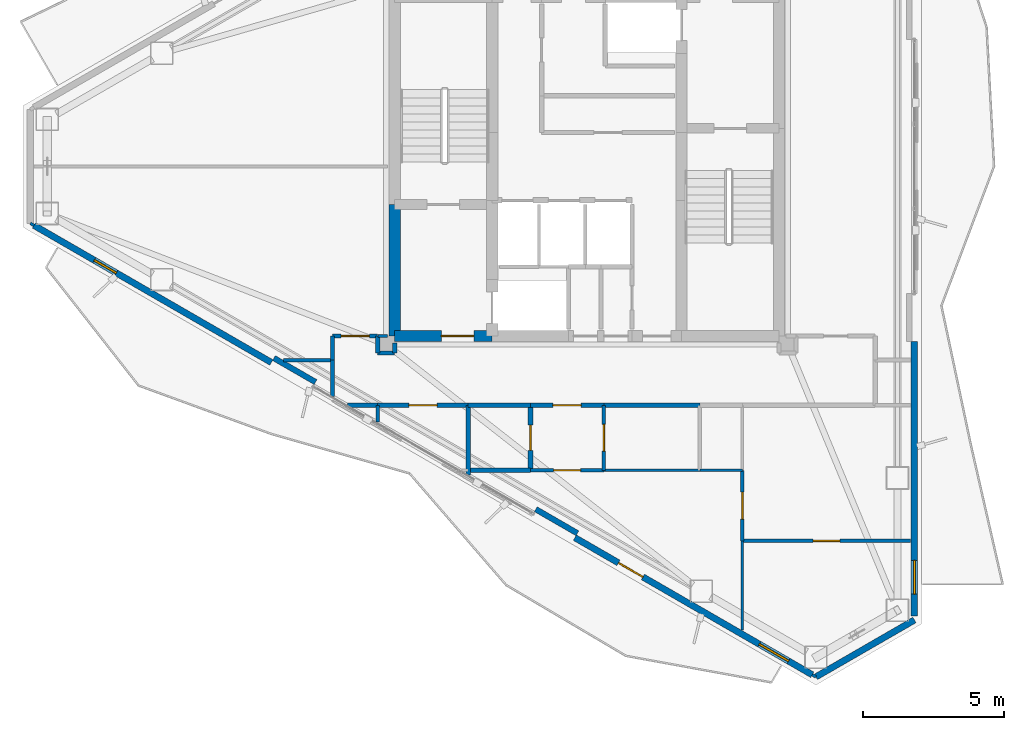
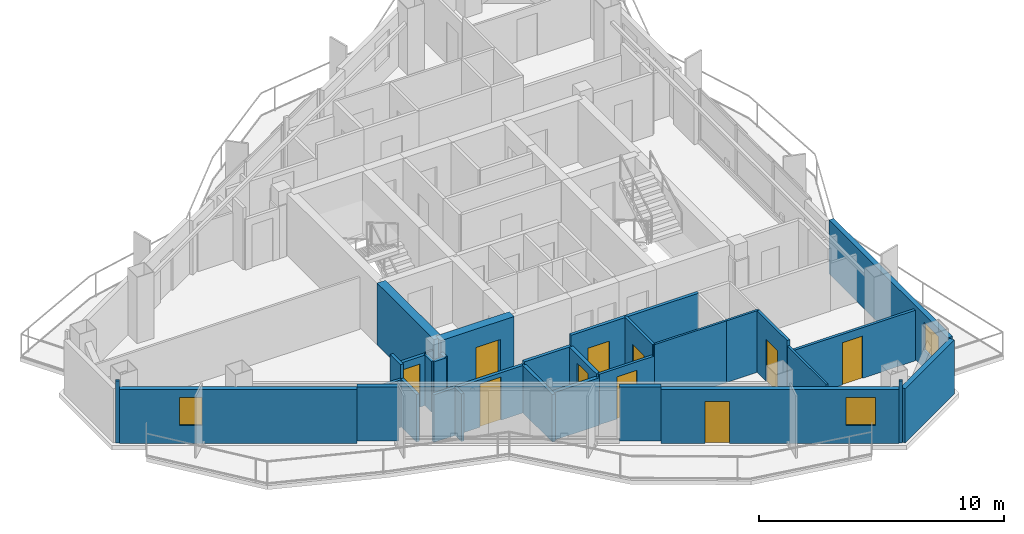
# One storey, part 16 of 22: 34 walls, 10 doors, 3 windows, 13 openings.
"""IFC4 building model written with IfcOpenShell, lengths in metres."""

from ifc_helpers import new_model, si_unit, direction, frame, frame_2d, origin, place, context, subcontext, project, spatial, rectangle, extrude, material, layer, layer_set, type_object, element, fill, save


model = new_model("IFC4")

# Units and contexts
model_context = context("Model", 3, precision=1e-05, world=origin(), true_north=direction((0.0, 1.0)))
body_context = subcontext(model_context, "Body", "Model", "MODEL_VIEW")
ifc_project = project(units=[si_unit("LENGTHUNIT", "METRE"), si_unit("AREAUNIT", "SQUARE_METRE"), si_unit("VOLUMEUNIT", "CUBIC_METRE"), si_unit("PLANEANGLEUNIT", "RADIAN"), si_unit("MASSUNIT", "GRAM", prefix="KILO")], contexts=[model_context])

# Site, building, storey
site_placement = place(None, origin())
site = spatial("IfcSite", under=ifc_project, at=site_placement, CompositionType="ELEMENT")
building_placement = place(site_placement, origin())
building = spatial("IfcBuilding", under=site, at=building_placement, Name="Mersakhor Tower and Convention Hall", CompositionType="ELEMENT")
storey_placement = place(building_placement, frame((0.0, 0.0, 205.199951171875)))
storey = spatial("IfcBuildingStorey", under=building, at=storey_placement, Name="L57", CompositionType="ELEMENT", Elevation=205.199951171875)

# Wall
ifc_material_1 = material(Name="Precast concrete C40/50", Category="concrete")
ifc_layer_1 = layer(ifc_material_1, 0.22509765625)
ifc_layer_set_1 = layer_set([ifc_layer_1], Name="Precast concrete C40/50")
wall_type_1 = type_object("IfcWallType", Name="WL-EXT-225", PredefinedType="SOLIDWALL", material=ifc_layer_set_1)
wall_1_placement = place(storey_placement, frame((40.58837890625, 10.70166015625, 0.0), z_axis=(0.0, 0.0, 1.0), x_axis=(-0.866023907196, -0.500002592159, 0.0)))
element("IfcWall", 1, at=wall_1_placement, inside=storey, type_object=wall_type_1, Name="L57 Chamfer Braced Spandrel Wall C2", PredefinedType="SOLIDWALL", context=body_context, shape_type="SweptSolid", body=[
    extrude(rectangle(XDim=4.0234375, YDim=0.22509765625, at=frame_2d((2.01171875, 0.0))), origin(), (0.0, 0.0, 1.0), 2.68994140625),
])

# Wall, opening, window
wall_2_placement = place(storey_placement, frame((40.58837890625, 20.550537109375, 0.0), z_axis=(0.0, 0.0, 1.0), x_axis=(0.0, -1.0, 0.0)))
wall_2 = element("IfcWall", 2, at=wall_2_placement, inside=storey, type_object=wall_type_1, Name="L57 Exterior Facade Wall F2-B3", PredefinedType="SOLIDWALL", context=body_context, shape_type="SweptSolid", body=[
    extrude(rectangle(XDim=9.698974609375, YDim=0.22509765625, at=frame_2d((4.849609375, 0.0))), origin(), (0.0, 0.0, 1.0), 2.68994140625),
])
opening_1_placement = place(wall_2_placement, frame((7.735107421875, 0.0, 0.89990234375)))
opening_1 = element("IfcOpeningElement", 3, at=opening_1_placement, cuts=wall_2, Name="Opening W-01", PredefinedType="OPENING", context=body_context, shape_type="SweptSolid", body=[
    extrude(rectangle(XDim=1.199951171875, YDim=1.39990234375, at=frame_2d((0.60009765625, 0.699951171875))), frame((0.0, 0.12255859375, 0.0), z_axis=(0.0, -1.0, 0.0), x_axis=(1.0, 0.0, 0.0)), (0.0, 0.0, 1.0), 0.2451171875),
])
ifc_material_2 = material(Name="Dark solar low-E glazed aluminium window", Category="aluminium")
window_type_1 = type_object("IfcWindowType", Name="WN-RES-120x150", PartitioningType="SINGLE_PANEL", PredefinedType="WINDOW", material=ifc_material_2)
window_1_placement = place(opening_1_placement, origin())
window_1 = element("IfcWindow", 4, at=window_1_placement, inside=storey, type_object=window_type_1, Name="L57 Bedroom Facade Window F2-B3-1", OverallHeight=1.39990234375, OverallWidth=1.199951171875, PartitioningType="SINGLE_PANEL", PredefinedType="WINDOW", context=body_context, shape_type="SweptSolid", body=[
    extrude(rectangle(XDim=1.199951171875, YDim=1.39990234375, at=frame_2d((0.60009765625, 0.699951171875))), frame((0.0, 0.030029296875, 0.0), z_axis=(0.0, -1.0, 0.0), x_axis=(1.0, 0.0, 0.0)), (0.0, 0.0, 1.0), 0.06005859375),
])
fill(opening_1, window_1)

# Wall, openings, door, window
wall_3_placement = place(storey_placement, frame((36.97412109375, 8.764892578125, 0.0), z_axis=(0.0, 0.0, 1.0), x_axis=(-0.866016233231, 0.500015883528, 0.0)))
wall_3 = element("IfcWall", 5, at=wall_3_placement, inside=storey, type_object=wall_type_1, Name="L57 Exterior Facade Wall F3-B1", PredefinedType="SOLIDWALL", context=body_context, shape_type="SweptSolid", body=[
    extrude(rectangle(XDim=9.698974609375, YDim=0.22509765625, at=frame_2d((4.849609375, 0.0))), origin(), (0.0, 0.0, 1.0), 2.68994140625),
])
opening_2_placement = place(wall_3_placement, frame((6.9189453125, 0.0, 0.0)))
opening_2 = element("IfcOpeningElement", 6, at=opening_2_placement, cuts=wall_3, Name="Opening BD-01", PredefinedType="OPENING", context=body_context, shape_type="SweptSolid", body=[
    extrude(rectangle(XDim=1.0, YDim=2.10009765625, at=frame_2d((0.5, 1.050048828125))), frame((0.0, 0.12255859375, 0.0), z_axis=(0.0, -1.0, 0.0), x_axis=(1.0, 0.0, 0.0)), (0.0, 0.0, 1.0), 0.2451171875),
])
opening_3_placement = place(wall_3_placement, frame((0.966064453125, 0.0, 0.89990234375)))
opening_3 = element("IfcOpeningElement", 7, at=opening_3_placement, cuts=wall_3, Name="Opening W-01", PredefinedType="OPENING", context=body_context, shape_type="SweptSolid", body=[
    extrude(rectangle(XDim=1.199951171875, YDim=1.39990234375, at=frame_2d((0.60009765625, 0.699951171875))), frame((0.0, 0.12255859375, 0.0), z_axis=(0.0, -1.0, 0.0), x_axis=(1.0, 0.0, 0.0)), (0.0, 0.0, 1.0), 0.2451171875),
])
ifc_material_3 = material(Name="Thermally broken dark aluminium and safety glass", Category="aluminium")
door_type_1 = type_object("IfcDoorType", Name="DR-BAL-100x210", OperationType="NOTDEFINED", PredefinedType="DOOR", material=ifc_material_3)
door_1_placement = place(opening_2_placement, origin())
door_1 = element("IfcDoor", 8, at=door_1_placement, inside=storey, type_object=door_type_1, Name="L57 Balcony Terrace Door F3-B1", OperationType="SINGLE_SWING_LEFT", OverallHeight=2.10009765625, OverallWidth=1.0, PredefinedType="DOOR", context=body_context, shape_type="SweptSolid", body=[
    extrude(rectangle(XDim=1.0, YDim=2.10009765625, at=frame_2d((0.5, 1.050048828125))), frame((0.0, 0.02490234375, 0.0), z_axis=(0.0, -1.0, 0.0), x_axis=(1.0, 0.0, 0.0)), (0.0, 0.0, 1.0), 0.050048828125),
])
fill(opening_2, door_1)
window_2_placement = place(opening_3_placement, origin())
window_2 = element("IfcWindow", 9, at=window_2_placement, inside=storey, type_object=window_type_1, Name="L57 Bedroom Facade Window F3-B1-1", OverallHeight=1.39990234375, OverallWidth=1.199951171875, PartitioningType="SINGLE_PANEL", PredefinedType="WINDOW", context=body_context, shape_type="SweptSolid", body=[
    extrude(rectangle(XDim=1.199951171875, YDim=1.39990234375, at=frame_2d((0.60009765625, 0.699951171875))), frame((0.0, 0.030029296875, 0.0), z_axis=(0.0, -1.0, 0.0), x_axis=(1.0, 0.0, 0.0)), (0.0, 0.0, 1.0), 0.06005859375),
])
fill(opening_3, window_2)

# Wall, opening, window
wall_4_placement = place(storey_placement, frame((17.8369140625, 19.81396484375, 0.0), z_axis=(0.0, 0.0, 1.0), x_axis=(-0.866027133173, 0.499997004599, 0.0)))
wall_4 = element("IfcWall", 10, at=wall_4_placement, inside=storey, type_object=wall_type_1, Name="L57 Exterior Facade Wall F3-B3", PredefinedType="SOLIDWALL", context=body_context, shape_type="SweptSolid", body=[
    extrude(rectangle(XDim=9.69873046875, YDim=0.22509765625, at=frame_2d((4.849365234375, 0.0))), origin(), (0.0, 0.0, 1.0), 2.68994140625),
])
opening_4_placement = place(wall_4_placement, frame((6.3349609375, 0.0, 0.89990234375)))
opening_4 = element("IfcOpeningElement", 11, at=opening_4_placement, cuts=wall_4, Name="Opening W-06", PredefinedType="OPENING", context=body_context, shape_type="SweptSolid", body=[
    extrude(rectangle(XDim=0.89990234375, YDim=1.39990234375, at=frame_2d((0.449951171875, 0.699951171875))), frame((0.0, 0.12255859375, 0.0), z_axis=(0.0, -1.0, 0.0), x_axis=(1.0, 0.0, 0.0)), (0.0, 0.0, 1.0), 0.2451171875),
])
ifc_material_4 = material(Name="Dark solar low-E glazed aluminium window", Category="aluminium")
window_type_2 = type_object("IfcWindowType", Name="WN-STD-090x140", PartitioningType="SINGLE_PANEL", PredefinedType="WINDOW", material=ifc_material_4)
window_3_placement = place(opening_4_placement, origin())
window_3 = element("IfcWindow", 12, at=window_3_placement, inside=storey, type_object=window_type_2, Name="L57 Facade Punched Window F3-B3", OverallHeight=1.39990234375, OverallWidth=0.89990234375, PartitioningType="SINGLE_PANEL", PredefinedType="WINDOW", context=body_context, shape_type="SweptSolid", body=[
    extrude(rectangle(XDim=0.89990234375, YDim=1.39990234375, at=frame_2d((0.449951171875, 0.699951171875))), frame((0.0, 0.030029296875, 0.0), z_axis=(0.0, -1.0, 0.0), x_axis=(1.0, 0.0, 0.0)), (0.0, 0.0, 1.0), 0.06005859375),
])
fill(opening_4, window_3)

# Walls
ifc_material_5 = material(Name="Precast concrete C40/50", Category="concrete")
ifc_layer_2 = layer(ifc_material_5, 0.199951171875)
ifc_layer_set_2 = layer_set([ifc_layer_2], Name="Precast concrete C40/50")
wall_type_2 = type_object("IfcWallType", Name="WL-PAR-200", PredefinedType="PARAPET", material=ifc_layer_set_2)
wall_5_placement = place(storey_placement, frame((28.664794921875, 13.770263671875, 0.0), z_axis=(0.0, 0.0, 1.0), x_axis=(-0.866025371046, 0.500000056704, 0.0)))
element("IfcWall", 13, at=wall_5_placement, inside=storey, type_object=wall_type_2, Name="L57 Column Pier Cladding Wall F3-C1", PredefinedType="PARAPET", context=body_context, shape_type="SweptSolid", body=[
    extrude(rectangle(XDim=1.7001953125, YDim=0.199951171875, at=frame_2d((0.85009765625, 0.0))), origin(), (0.0, 0.0, 1.0), 2.68994140625),
])
wall_6_placement = place(storey_placement, frame((19.399169921875, 19.119873046875, 0.0), z_axis=(0.0, 0.0, 1.0), x_axis=(-0.86605165483, 0.499954529098, 0.0)))
element("IfcWall", 14, at=wall_6_placement, inside=storey, type_object=wall_type_2, Name="L57 Column Pier Cladding Wall F3-C2", PredefinedType="PARAPET", context=body_context, shape_type="SweptSolid", body=[
    extrude(rectangle(XDim=1.699951171875, YDim=0.199951171875, at=frame_2d((0.85009765625, 0.0))), origin(), (0.0, 0.0, 1.0), 2.68994140625),
])

# Wall, opening, door
ifc_material_6 = material(Name="Moisture-resistant acoustic drywall studwork", Category="other")
ifc_layer_3 = layer(ifc_material_6, 0.175048828125)
ifc_layer_set_3 = layer_set([ifc_layer_3], Name="Moisture-resistant acoustic drywall studwork")
wall_type_3 = type_object("IfcWallType", Name="WL-PLM-175", PredefinedType="PLUMBINGWALL", material=ifc_layer_set_3)
wall_7_placement = place(storey_placement, frame((27.0, 16.0, 0.0), z_axis=(0.0, 0.0, 1.0), x_axis=(0.0, 1.0, 0.0)))
wall_7 = element("IfcWall", 15, at=wall_7_placement, inside=storey, type_object=wall_type_3, Name="L57 Interior Partition Wall P-058", PredefinedType="PLUMBINGWALL", context=body_context, shape_type="SweptSolid", body=[
    extrude(rectangle(XDim=2.300048828125, YDim=0.175048828125, at=frame_2d((1.14990234375, 0.0))), origin(), (0.0, 0.0, 1.0), 2.518310546875),
])
opening_5_placement = place(wall_7_placement, frame((0.699951171875, 0.0, 0.0)))
opening_5 = element("IfcOpeningElement", 16, at=opening_5_placement, cuts=wall_7, Name="Opening WD-01", PredefinedType="OPENING", context=body_context, shape_type="SweptSolid", body=[
    extrude(rectangle(XDim=0.89990234375, YDim=2.10009765625, at=frame_2d((0.449951171875, 1.050048828125))), frame((0.0, 0.097412109375, 0.0), z_axis=(0.0, -1.0, 0.0), x_axis=(1.0, 0.0, 0.0)), (0.0, 0.0, 1.0), 0.195068359375),
])
ifc_material_7 = material(Name="Solid-core hardwood leaf in painted steel frame", Category="steel")
door_type_2 = type_object("IfcDoorType", Name="DR-INT-WET-090x210", OperationType="NOTDEFINED", PredefinedType="DOOR", material=ifc_material_7)
door_2_placement = place(opening_5_placement, origin())
door_2 = element("IfcDoor", 17, at=door_2_placement, inside=storey, type_object=door_type_2, Name="L57 L57 Flat S4 Apartment Hall to L57 Flat S4 Bathroom Door", OperationType="SINGLE_SWING_LEFT", OverallHeight=2.10009765625, OverallWidth=0.89990234375, PredefinedType="DOOR", context=body_context, shape_type="SweptSolid", body=[
    extrude(rectangle(XDim=0.89990234375, YDim=2.10009765625, at=frame_2d((0.449951171875, 1.050048828125))), frame((0.0, 0.02490234375, 0.0), z_axis=(0.0, -1.0, 0.0), x_axis=(1.0, 0.0, 0.0)), (0.0, 0.0, 1.0), 0.050048828125),
])
fill(opening_5, door_2)

# Walls
wall_8_placement = place(storey_placement, frame((27.0, 16.0, 0.0), z_axis=(0.0, 0.0, 1.0), x_axis=(-1.0, 0.0, 0.0)))
element("IfcWall", 18, at=wall_8_placement, inside=storey, type_object=wall_type_3, Name="L57 Interior Partition Wall P-064", PredefinedType="PLUMBINGWALL", context=body_context, shape_type="SweptSolid", body=[
    extrude(rectangle(XDim=2.199951171875, YDim=0.175048828125, at=frame_2d((1.10009765625, 0.0))), origin(), (0.0, 0.0, 1.0), 2.364990234375),
])
ifc_material_8 = material(Name="Lightweight gypsum partition", Category="other")
ifc_layer_4 = layer(ifc_material_8, 0.10009765625)
ifc_layer_set_4 = layer_set([ifc_layer_4], Name="Lightweight gypsum partition")
wall_type_4 = type_object("IfcWallType", Name="WL-PRT-100", PredefinedType="PARTITIONING", material=ifc_layer_set_4)
wall_9_placement = place(storey_placement, frame((33.0, 16.0, 0.0), z_axis=(0.0, 0.0, 1.0), x_axis=(-1.0, 0.0, 0.0)))
element("IfcWall", 19, at=wall_9_placement, inside=storey, type_object=wall_type_4, Name="L57 Interior Partition Wall P-066", PredefinedType="PARTITIONING", context=body_context, shape_type="SweptSolid", body=[
    extrude(rectangle(XDim=3.39990234375, YDim=0.10009765625, at=frame_2d((1.699951171875, 0.0))), origin(), (0.0, 0.0, 1.0), 3.070068359375),
])
wall_10_placement = place(storey_placement, frame((21.949951171875, 20.75, 0.0), z_axis=(0.0, 0.0, 1.0), x_axis=(-1.0, 0.0, 0.0)))
element("IfcWall", 20, at=wall_10_placement, inside=storey, type_object=wall_type_4, Name="L57 Interior Partition Wall P-074", PredefinedType="PARTITIONING", context=body_context, shape_type="SweptSolid", body=[
    extrude(rectangle(XDim=0.349853515625, YDim=0.10009765625, at=frame_2d((0.1748046875, 0.0))), origin(), (0.0, 0.0, 1.0), 2.594970703125),
])
wall_11_placement = place(storey_placement, frame((9.437255859375, 24.662841796875, 0.0), z_axis=(0.0, 0.0, 1.0), x_axis=(-0.866239593359, 0.499628829129, 0.0)))
element("IfcWall", 21, at=wall_11_placement, inside=storey, type_object=wall_type_4, Name="L57 Interior Partition Wall P-076", PredefinedType="PARTITIONING", context=body_context, shape_type="SweptSolid", body=[
    extrude(rectangle(XDim=0.150390625, YDim=0.10009765625, at=frame_2d((0.0751953125, 0.0))), origin(), (0.0, 0.0, 1.0), 3.070068359375),
])
wall_12_placement = place(storey_placement, frame((33.0, 16.0, 0.0), z_axis=(0.0, 0.0, 1.0), x_axis=(1.0, 0.0, 0.0)))
element("IfcWall", 22, at=wall_12_placement, inside=storey, type_object=wall_type_4, Name="L57 Interior Partition Wall P-092", PredefinedType="PARTITIONING", context=body_context, shape_type="SweptSolid", body=[
    extrude(rectangle(XDim=1.5, YDim=0.10009765625, at=frame_2d((0.75, 0.0))), origin(), (0.0, 0.0, 1.0), 3.070068359375),
])
wall_13_placement = place(storey_placement, frame((34.5, 13.5, 0.0), z_axis=(0.0, 0.0, 1.0), x_axis=(0.0, -1.0, 0.0)))
element("IfcWall", 23, at=wall_13_placement, inside=storey, type_object=wall_type_4, Name="L57 Interior Partition Wall P-094", PredefinedType="PARTITIONING", context=body_context, shape_type="SweptSolid", body=[
    extrude(rectangle(XDim=3.14892578125, YDim=0.10009765625, at=frame_2d((1.574462890625, 0.0))), origin(), (0.0, 0.0, 1.0), 2.794677734375),
])
wall_14_placement = place(storey_placement, frame((37.10400390625, 8.68994140625, 0.0), z_axis=(0.0, 0.0, 1.0), x_axis=(-0.866131372301, 0.499816412211, 0.0)))
element("IfcWall", 24, at=wall_14_placement, inside=storey, type_object=wall_type_4, Name="L57 Interior Partition Wall P-096", PredefinedType="PARTITIONING", context=body_context, shape_type="SweptSolid", body=[
    extrude(rectangle(XDim=0.14990234375, YDim=0.10009765625, at=frame_2d((0.074951171875, 0.0))), origin(), (0.0, 0.0, 1.0), 3.070068359375),
])

# Wall, opening, door
ifc_material_9 = material(Name="Gypsum board acoustic partition", Category="other")
ifc_layer_5 = layer(ifc_material_9, 0.125)
ifc_layer_set_5 = layer_set([ifc_layer_5], Name="Gypsum board acoustic partition")
wall_type_5 = type_object("IfcWallType", Name="WL-PRT-125", PredefinedType="PARTITIONING", material=ifc_layer_set_5)
wall_15_placement = place(storey_placement, frame((29.60009765625, 16.0, 0.0), z_axis=(0.0, 0.0, 1.0), x_axis=(-1.0, 0.0, 0.0)))
wall_15 = element("IfcWall", 25, at=wall_15_placement, inside=storey, type_object=wall_type_5, Name="L57 Interior Partition Wall P-057", PredefinedType="PARTITIONING", context=body_context, shape_type="SweptSolid", body=[
    extrude(rectangle(XDim=2.60009765625, YDim=0.125, at=frame_2d((1.300048828125, 0.0))), origin(), (0.0, 0.0, 1.0), 2.518310546875),
])
opening_6_placement = place(wall_15_placement, frame((0.824951171875, 0.0, 0.0)))
opening_6 = element("IfcOpeningElement", 26, at=opening_6_placement, cuts=wall_15, Name="Opening RD-01", PredefinedType="OPENING", context=body_context, shape_type="SweptSolid", body=[
    extrude(rectangle(XDim=0.949951171875, YDim=2.10009765625, at=frame_2d((0.47509765625, 1.050048828125))), frame((0.0, 0.072509765625, 0.0), z_axis=(0.0, -1.0, 0.0), x_axis=(1.0, 0.0, 0.0)), (0.0, 0.0, 1.0), 0.14501953125),
])
ifc_material_10 = material(Name="Solid-core hardwood leaf in painted steel frame", Category="steel")
door_type_3 = type_object("IfcDoorType", Name="DR-INT-RM-095x210", OperationType="NOTDEFINED", PredefinedType="DOOR", material=ifc_material_10)
door_3_placement = place(opening_6_placement, origin())
door_3 = element("IfcDoor", 27, at=door_3_placement, inside=storey, type_object=door_type_3, Name="L57 L57 Flat S4 Apartment Hall to L57 Flat S4 Bedroom 1 Door", OperationType="SINGLE_SWING_LEFT", OverallHeight=2.10009765625, OverallWidth=0.949951171875, PredefinedType="DOOR", context=body_context, shape_type="SweptSolid", body=[
    extrude(rectangle(XDim=0.949951171875, YDim=2.10009765625, at=frame_2d((0.47509765625, 1.050048828125))), frame((0.0, 0.02490234375, 0.0), z_axis=(0.0, -1.0, 0.0), x_axis=(1.0, 0.0, 0.0)), (0.0, 0.0, 1.0), 0.050048828125),
])
fill(opening_6, door_3)

wall_16_placement = place(storey_placement, frame((29.60009765625, 18.300048828125, 0.0), z_axis=(0.0, 0.0, 1.0), x_axis=(0.0, -1.0, 0.0)))
wall_16 = element("IfcWall", 28, at=wall_16_placement, inside=storey, type_object=wall_type_5, Name="L57 Interior Partition Wall P-059", PredefinedType="PARTITIONING", context=body_context, shape_type="SweptSolid", body=[
    extrude(rectangle(XDim=2.300048828125, YDim=0.125, at=frame_2d((1.14990234375, 0.0))), origin(), (0.0, 0.0, 1.0), 3.070068359375),
])
opening_7_placement = place(wall_16_placement, frame((0.675048828125, 0.0, 0.0)))
opening_7 = element("IfcOpeningElement", 29, at=opening_7_placement, cuts=wall_16, Name="Opening RD-01", PredefinedType="OPENING", context=body_context, shape_type="SweptSolid", body=[
    extrude(rectangle(XDim=0.949951171875, YDim=2.10009765625, at=frame_2d((0.47509765625, 1.050048828125))), frame((0.0, 0.072509765625, 0.0), z_axis=(0.0, -1.0, 0.0), x_axis=(1.0, 0.0, 0.0)), (0.0, 0.0, 1.0), 0.14501953125),
])
door_4_placement = place(opening_7_placement, origin())
door_4 = element("IfcDoor", 30, at=door_4_placement, inside=storey, type_object=door_type_3, Name="L57 L57 Flat S4 Apartment Hall to L57 Flat S4 Kitchen Door", OperationType="SINGLE_SWING_RIGHT", OverallHeight=2.10009765625, OverallWidth=0.949951171875, PredefinedType="DOOR", context=body_context, shape_type="SweptSolid", body=[
    extrude(rectangle(XDim=0.949951171875, YDim=2.10009765625, at=frame_2d((0.47509765625, 1.050048828125))), frame((0.0, 0.02490234375, 0.0), z_axis=(0.0, -1.0, 0.0), x_axis=(1.0, 0.0, 0.0)), (0.0, 0.0, 1.0), 0.050048828125),
])
fill(opening_7, door_4)

# Walls
wall_17_placement = place(storey_placement, frame((20.0, 19.89990234375, 0.0), z_axis=(0.0, 0.0, 1.0), x_axis=(-1.0, 0.0, 0.0)))
element("IfcWall", 31, at=wall_17_placement, inside=storey, type_object=wall_type_5, Name="L57 Interior Partition Wall P-075", PredefinedType="PARTITIONING", context=body_context, shape_type="SweptSolid", body=[
    extrude(rectangle(XDim=1.726806640625, YDim=0.125, at=frame_2d((0.86328125, 0.0))), origin(), (0.0, 0.0, 1.0), 2.364990234375),
])
wall_18_placement = place(storey_placement, frame((21.60009765625, 17.715087890625, 0.0), z_axis=(0.0, 0.0, 1.0), x_axis=(0.0, 1.0, 0.0)))
element("IfcWall", 32, at=wall_18_placement, inside=storey, type_object=wall_type_5, Name="L57 Interior Partition Wall P-091", PredefinedType="PARTITIONING", context=body_context, shape_type="SweptSolid", body=[
    extrude(rectangle(XDim=0.5849609375, YDim=0.125, at=frame_2d((0.29248046875, 0.0))), origin(), (0.0, 0.0, 1.0), 2.364990234375),
])

# Wall, opening, door
wall_19_placement = place(storey_placement, frame((34.5, 16.0, 0.0), z_axis=(0.0, 0.0, 1.0), x_axis=(0.0, -1.0, 0.0)))
wall_19 = element("IfcWall", 33, at=wall_19_placement, inside=storey, type_object=wall_type_5, Name="L57 Interior Partition Wall P-093", PredefinedType="PARTITIONING", context=body_context, shape_type="SweptSolid", body=[
    extrude(rectangle(XDim=2.5, YDim=0.125, at=frame_2d((1.25, 0.0))), origin(), (0.0, 0.0, 1.0), 3.070068359375),
])
opening_8_placement = place(wall_19_placement, frame((0.77490234375, 0.0, 0.0)))
opening_8 = element("IfcOpeningElement", 34, at=opening_8_placement, cuts=wall_19, Name="Opening RD-01", PredefinedType="OPENING", context=body_context, shape_type="SweptSolid", body=[
    extrude(rectangle(XDim=0.949951171875, YDim=2.10009765625, at=frame_2d((0.47509765625, 1.050048828125))), frame((0.0, 0.072509765625, 0.0), z_axis=(0.0, -1.0, 0.0), x_axis=(1.0, 0.0, 0.0)), (0.0, 0.0, 1.0), 0.14501953125),
])
door_5_placement = place(opening_8_placement, origin())
door_5 = element("IfcDoor", 35, at=door_5_placement, inside=storey, type_object=door_type_3, Name="L57 L57 Flat S4 Bedroom 1 to L57 Flat S4 Study Room Door", OperationType="SINGLE_SWING_RIGHT", OverallHeight=2.10009765625, OverallWidth=0.949951171875, PredefinedType="DOOR", context=body_context, shape_type="SweptSolid", body=[
    extrude(rectangle(XDim=0.949951171875, YDim=2.10009765625, at=frame_2d((0.47509765625, 1.050048828125))), frame((0.0, 0.02490234375, 0.0), z_axis=(0.0, -1.0, 0.0), x_axis=(1.0, 0.0, 0.0)), (0.0, 0.0, 1.0), 0.050048828125),
])
fill(opening_8, door_5)

wall_20_placement = place(storey_placement, frame((34.5, 13.5, 0.0), z_axis=(0.0, 0.0, 1.0), x_axis=(1.0, 0.0, 0.0)))
wall_20 = element("IfcWall", 36, at=wall_20_placement, inside=storey, type_object=wall_type_5, Name="L57 Interior Partition Wall P-095", PredefinedType="PARTITIONING", context=body_context, shape_type="SweptSolid", body=[
    extrude(rectangle(XDim=5.951904296875, YDim=0.125, at=frame_2d((2.97607421875, 0.0))), origin(), (0.0, 0.0, 1.0), 2.518310546875),
])
opening_9_placement = place(wall_20_placement, frame((2.5009765625, 0.0, 0.0)))
opening_9 = element("IfcOpeningElement", 37, at=opening_9_placement, cuts=wall_20, Name="Opening RD-01", PredefinedType="OPENING", context=body_context, shape_type="SweptSolid", body=[
    extrude(rectangle(XDim=0.949951171875, YDim=2.10009765625, at=frame_2d((0.47509765625, 1.050048828125))), frame((0.0, 0.072509765625, 0.0), z_axis=(0.0, -1.0, 0.0), x_axis=(1.0, 0.0, 0.0)), (0.0, 0.0, 1.0), 0.14501953125),
])
door_6_placement = place(opening_9_placement, origin())
door_6 = element("IfcDoor", 38, at=door_6_placement, inside=storey, type_object=door_type_3, Name="L57 L57 Flat S4 Bedroom 2 to L57 Flat S4 Study Room Door", OperationType="SINGLE_SWING_LEFT", OverallHeight=2.10009765625, OverallWidth=0.949951171875, PredefinedType="DOOR", context=body_context, shape_type="SweptSolid", body=[
    extrude(rectangle(XDim=0.949951171875, YDim=2.10009765625, at=frame_2d((0.47509765625, 1.050048828125))), frame((0.0, 0.02490234375, 0.0), z_axis=(0.0, -1.0, 0.0), x_axis=(1.0, 0.0, 0.0)), (0.0, 0.0, 1.0), 0.050048828125),
])
fill(opening_9, door_6)

ifc_material_11 = material(Name="Fire-rated gypsum board stud partition", Category="other")
ifc_layer_6 = layer(ifc_material_11, 0.14990234375)
ifc_layer_set_6 = layer_set([ifc_layer_6], Name="Fire-rated gypsum board stud partition")
wall_type_6 = type_object("IfcWallType", Name="WL-PRT-150", PredefinedType="PARTITIONING", material=ifc_layer_set_6)
wall_21_placement = place(storey_placement, frame((20.0, 20.75, 0.0), z_axis=(0.0, 0.0, 1.0), x_axis=(1.0, 0.0, 0.0)))
wall_21 = element("IfcWall", 39, at=wall_21_placement, inside=storey, type_object=wall_type_6, Name="L57 Interior Partition Wall P-035", PredefinedType="PARTITIONING", context=body_context, shape_type="SweptSolid", body=[
    extrude(rectangle(XDim=1.60009765625, YDim=0.14990234375, at=frame_2d((0.800048828125, 0.0))), origin(), (0.0, 0.0, 1.0), 2.518310546875),
])
opening_10_placement = place(wall_21_placement, frame((0.300048828125, 0.0, 0.0)))
opening_10 = element("IfcOpeningElement", 40, at=opening_10_placement, cuts=wall_21, Name="Opening FD-01", PredefinedType="OPENING", context=body_context, shape_type="SweptSolid", body=[
    extrude(rectangle(XDim=1.0, YDim=2.14990234375, at=frame_2d((0.5, 1.074951171875))), frame((0.0, 0.0849609375, 0.0), z_axis=(0.0, -1.0, 0.0), x_axis=(1.0, 0.0, 0.0)), (0.0, 0.0, 1.0), 0.169921875),
])
ifc_material_12 = material(Name="Fire-rated hardwood leaf and painted steel frame", Category="steel")
door_type_4 = type_object("IfcDoorType", Name="DR-INT-FLT-100x215", OperationType="NOTDEFINED", PredefinedType="DOOR", material=ifc_material_12)
door_7_placement = place(opening_10_placement, origin())
door_7 = element("IfcDoor", 41, at=door_7_placement, inside=storey, type_object=door_type_4, Name="L57 Residential South Gallery Corridor to L57 West Wing Residents Dining Room Door", OperationType="SINGLE_SWING_LEFT", OverallHeight=2.14990234375, OverallWidth=1.0, PredefinedType="DOOR", context=body_context, shape_type="SweptSolid", body=[
    extrude(rectangle(XDim=1.0, YDim=2.14990234375, at=frame_2d((0.5, 1.074951171875))), frame((0.0, 0.02490234375, 0.0), z_axis=(0.0, -1.0, 0.0), x_axis=(1.0, 0.0, 0.0)), (0.0, 0.0, 1.0), 0.050048828125),
])
fill(opening_10, door_7)

# Walls
wall_22_placement = place(storey_placement, frame((21.60009765625, 20.75, 0.0), z_axis=(0.0, 0.0, 1.0), x_axis=(0.0, -1.0, 0.0)))
element("IfcWall", 42, at=wall_22_placement, inside=storey, type_object=wall_type_6, Name="L57 Interior Partition Wall P-036", PredefinedType="PARTITIONING", context=body_context, shape_type="SweptSolid", body=[
    extrude(rectangle(XDim=0.60009765625, YDim=0.14990234375, at=frame_2d((0.300048828125, 0.0))), origin(), (0.0, 0.0, 1.0), 2.518310546875),
])
wall_23_placement = place(storey_placement, frame((21.60009765625, 20.14990234375, 0.0), z_axis=(0.0, 0.0, 1.0), x_axis=(1.0, 0.0, 0.0)))
element("IfcWall", 43, at=wall_23_placement, inside=storey, type_object=wall_type_6, Name="L57 Interior Partition Wall P-037", PredefinedType="PARTITIONING", context=body_context, shape_type="SweptSolid", body=[
    extrude(rectangle(XDim=0.599853515625, YDim=0.14990234375, at=frame_2d((0.2998046875, 0.0))), origin(), (0.0, 0.0, 1.0), 2.518310546875),
])
wall_24_placement = place(storey_placement, frame((22.199951171875, 20.14990234375, 0.0), z_axis=(0.0, 0.0, 1.0), x_axis=(0.0, 1.0, 0.0)))
element("IfcWall", 44, at=wall_24_placement, inside=storey, type_object=wall_type_6, Name="L57 Interior Partition Wall P-038", PredefinedType="PARTITIONING", context=body_context, shape_type="SweptSolid", body=[
    extrude(rectangle(XDim=0.35009765625, YDim=0.14990234375, at=frame_2d((0.175048828125, 0.0))), origin(), (0.0, 0.0, 1.0), 2.518310546875),
])
wall_25_placement = place(storey_placement, frame((33.0, 18.300048828125, 0.0), z_axis=(0.0, 0.0, 1.0), x_axis=(-1.0, 0.0, 0.0)))
element("IfcWall", 45, at=wall_25_placement, inside=storey, type_object=wall_type_6, Name="L57 Interior Partition Wall P-047", PredefinedType="PARTITIONING", context=body_context, shape_type="SweptSolid", body=[
    extrude(rectangle(XDim=3.39990234375, YDim=0.14990234375, at=frame_2d((1.699951171875, 0.0))), origin(), (0.0, 0.0, 1.0), 3.070068359375),
])

# Wall, opening, door
wall_26_placement = place(storey_placement, frame((29.60009765625, 18.300048828125, 0.0), z_axis=(0.0, 0.0, 1.0), x_axis=(-1.0, 0.0, 0.0)))
wall_26 = element("IfcWall", 46, at=wall_26_placement, inside=storey, type_object=wall_type_6, Name="L57 Interior Partition Wall P-048", PredefinedType="PARTITIONING", context=body_context, shape_type="SweptSolid", body=[
    extrude(rectangle(XDim=2.60009765625, YDim=0.14990234375, at=frame_2d((1.300048828125, 0.0))), origin(), (0.0, 0.0, 1.0), 3.070068359375),
])
opening_11_placement = place(wall_26_placement, frame((0.800048828125, 0.0, 0.0)))
opening_11 = element("IfcOpeningElement", 47, at=opening_11_placement, cuts=wall_26, Name="Opening FD-01", PredefinedType="OPENING", context=body_context, shape_type="SweptSolid", body=[
    extrude(rectangle(XDim=1.0, YDim=2.14990234375, at=frame_2d((0.5, 1.074951171875))), frame((0.0, 0.0849609375, 0.0), z_axis=(0.0, -1.0, 0.0), x_axis=(1.0, 0.0, 0.0)), (0.0, 0.0, 1.0), 0.169921875),
])
door_8_placement = place(opening_11_placement, origin())
door_8 = element("IfcDoor", 48, at=door_8_placement, inside=storey, type_object=door_type_4, Name="L57 Apartment Entrance Door (Residential South Gallery Corridor to L57 Flat S4 Apartment Hall)", OperationType="SINGLE_SWING_RIGHT", OverallHeight=2.14990234375, OverallWidth=1.0, PredefinedType="DOOR", context=body_context, shape_type="SweptSolid", body=[
    extrude(rectangle(XDim=1.0, YDim=2.14990234375, at=frame_2d((0.5, 1.074951171875))), frame((0.0, 0.02490234375, 0.0), z_axis=(0.0, -1.0, 0.0), x_axis=(1.0, 0.0, 0.0)), (0.0, 0.0, 1.0), 0.050048828125),
])
fill(opening_11, door_8)

# Wall
wall_27_placement = place(storey_placement, frame((27.0, 18.300048828125, 0.0), z_axis=(0.0, 0.0, 1.0), x_axis=(-1.0, 0.0, 0.0)))
element("IfcWall", 49, at=wall_27_placement, inside=storey, type_object=wall_type_6, Name="L57 Interior Partition Wall P-049", PredefinedType="PARTITIONING", context=body_context, shape_type="SweptSolid", body=[
    extrude(rectangle(XDim=2.199951171875, YDim=0.14990234375, at=frame_2d((1.10009765625, 0.0))), origin(), (0.0, 0.0, 1.0), 2.518310546875),
])

# Wall, opening, door
wall_28_placement = place(storey_placement, frame((24.800048828125, 18.300048828125, 0.0), z_axis=(0.0, 0.0, 1.0), x_axis=(-1.0, 0.0, 0.0)))
wall_28 = element("IfcWall", 50, at=wall_28_placement, inside=storey, type_object=wall_type_6, Name="L57 Interior Partition Wall P-050", PredefinedType="PARTITIONING", context=body_context, shape_type="SweptSolid", body=[
    extrude(rectangle(XDim=3.199951171875, YDim=0.14990234375, at=frame_2d((1.60009765625, 0.0))), origin(), (0.0, 0.0, 1.0), 2.364990234375),
])
opening_12_placement = place(wall_28_placement, frame((1.10009765625, 0.0, 0.0)))
opening_12 = element("IfcOpeningElement", 51, at=opening_12_placement, cuts=wall_28, Name="Opening FD-01", PredefinedType="OPENING", context=body_context, shape_type="SweptSolid", body=[
    extrude(rectangle(XDim=1.0, YDim=2.14990234375, at=frame_2d((0.5, 1.074951171875))), frame((0.0, 0.0849609375, 0.0), z_axis=(0.0, -1.0, 0.0), x_axis=(1.0, 0.0, 0.0)), (0.0, 0.0, 1.0), 0.169921875),
])
door_9_placement = place(opening_12_placement, origin())
door_9 = element("IfcDoor", 52, at=door_9_placement, inside=storey, type_object=door_type_4, Name="L57 Residential South Gallery Corridor to L57 Floor Shared Tea Pantry 3-1 Door", OperationType="SINGLE_SWING_LEFT", OverallHeight=2.14990234375, OverallWidth=1.0, PredefinedType="DOOR", context=body_context, shape_type="SweptSolid", body=[
    extrude(rectangle(XDim=1.0, YDim=2.14990234375, at=frame_2d((0.5, 1.074951171875))), frame((0.0, 0.02490234375, 0.0), z_axis=(0.0, -1.0, 0.0), x_axis=(1.0, 0.0, 0.0)), (0.0, 0.0, 1.0), 0.050048828125),
])
fill(opening_12, door_9)

# Walls
wall_29_placement = place(storey_placement, frame((21.60009765625, 18.300048828125, 0.0), z_axis=(0.0, 0.0, 1.0), x_axis=(-1.0, 0.0, 0.0)))
element("IfcWall", 53, at=wall_29_placement, inside=storey, type_object=wall_type_6, Name="L57 Interior Partition Wall P-051", PredefinedType="PARTITIONING", context=body_context, shape_type="SweptSolid", body=[
    extrude(rectangle(XDim=1.07177734375, YDim=0.14990234375, at=frame_2d((0.535888671875, 0.0))), origin(), (0.0, 0.0, 1.0), 2.364990234375),
])
wall_30_placement = place(storey_placement, frame((20.0, 18.60888671875, 0.0), z_axis=(0.0, 0.0, 1.0), x_axis=(0.0, 1.0, 0.0)))
element("IfcWall", 54, at=wall_30_placement, inside=storey, type_object=wall_type_6, Name="L57 Interior Partition Wall P-052", PredefinedType="PARTITIONING", context=body_context, shape_type="SweptSolid", body=[
    extrude(rectangle(XDim=1.291015625, YDim=0.14990234375, at=frame_2d((0.6455078125, 0.0))), origin(), (0.0, 0.0, 1.0), 2.364990234375),
])
wall_31_placement = place(storey_placement, frame((20.0, 19.89990234375, 0.0), z_axis=(0.0, 0.0, 1.0), x_axis=(0.0, 1.0, 0.0)))
element("IfcWall", 55, at=wall_31_placement, inside=storey, type_object=wall_type_6, Name="L57 Interior Partition Wall P-053", PredefinedType="PARTITIONING", context=body_context, shape_type="SweptSolid", body=[
    extrude(rectangle(XDim=0.85009765625, YDim=0.14990234375, at=frame_2d((0.425048828125, 0.0))), origin(), (0.0, 0.0, 1.0), 3.070068359375),
])
wall_32_placement = place(storey_placement, frame((24.800048828125, 15.837646484375, 0.0), z_axis=(0.0, 0.0, 1.0), x_axis=(0.0, 1.0, 0.0)))
element("IfcWall", 56, at=wall_32_placement, inside=storey, type_object=wall_type_6, Name="L57 Interior Partition Wall P-065", PredefinedType="PARTITIONING", context=body_context, shape_type="SweptSolid", body=[
    extrude(rectangle(XDim=2.46240234375, YDim=0.14990234375, at=frame_2d((1.231201171875, 0.0))), origin(), (0.0, 0.0, 1.0), 2.364990234375),
])
ifc_material_13 = material(Name="Concrete C60/75", Category="concrete")
ifc_layer_7 = layer(ifc_material_13, 0.39990234375)
ifc_layer_set_7 = layer_set([ifc_layer_7], Name="Concrete C60/75")
wall_type_7 = type_object("IfcWallType", Name="WL-SHR-400", PredefinedType="SHEAR", material=ifc_layer_set_7)
wall_33_placement = place(storey_placement, frame((22.199951171875, 20.75, 0.0), z_axis=(0.0, 0.0, 1.0), x_axis=(0.0, 1.0, 0.0)))
element("IfcWall", 57, at=wall_33_placement, inside=storey, type_object=wall_type_7, Name="L57 Core Wall CW-W1", PredefinedType="SHEAR", context=body_context, shape_type="SweptSolid", body=[
    extrude(rectangle(XDim=4.64990234375, YDim=0.39990234375, at=frame_2d((2.324951171875, 0.0))), origin(), (0.0, 0.0, 1.0), 3.070068359375),
])

# Wall, opening, door
wall_34_placement = place(storey_placement, frame((25.64990234375, 20.75, 0.0), z_axis=(0.0, 0.0, 1.0), x_axis=(-1.0, 0.0, 0.0)))
wall_34 = element("IfcWall", 58, at=wall_34_placement, inside=storey, type_object=wall_type_7, Name="L57 Core Wall CW-S4", PredefinedType="SHEAR", context=body_context, shape_type="SweptSolid", body=[
    extrude(rectangle(XDim=3.449951171875, YDim=0.39990234375, at=frame_2d((1.72509765625, 0.0))), origin(), (0.0, 0.0, 1.0), 3.070068359375),
])
opening_13_placement = place(wall_34_placement, frame((0.64990234375, 0.0, 0.0)))
opening_13 = element("IfcOpeningElement", 59, at=opening_13_placement, cuts=wall_34, Name="Opening SD-01", PredefinedType="OPENING", context=body_context, shape_type="SweptSolid", body=[
    extrude(rectangle(XDim=1.14990234375, YDim=2.14990234375, at=frame_2d((0.574951171875, 1.074951171875))), frame((0.0, 0.2099609375, 0.0), z_axis=(0.0, -1.0, 0.0), x_axis=(1.0, 0.0, 0.0)), (0.0, 0.0, 1.0), 0.419921875),
])
ifc_material_14 = material(Name="Fire-rated hardwood leaf and painted steel frame", Category="steel")
door_type_5 = type_object("IfcDoorType", Name="DR-INT-STAIR-115x215", OperationType="NOTDEFINED", PredefinedType="DOOR", material=ifc_material_14)
door_10_placement = place(opening_13_placement, origin())
door_10 = element("IfcDoor", 60, at=door_10_placement, inside=storey, type_object=door_type_5, Name="L57 Firefighting Lobby West Fire Door", OperationType="SINGLE_SWING_LEFT", OverallHeight=2.14990234375, OverallWidth=1.14990234375, PredefinedType="DOOR", context=body_context, shape_type="SweptSolid", body=[
    extrude(rectangle(XDim=1.14990234375, YDim=2.14990234375, at=frame_2d((0.574951171875, 1.074951171875))), frame((0.0, 0.02490234375, 0.0), z_axis=(0.0, -1.0, 0.0), x_axis=(1.0, 0.0, 0.0)), (0.0, 0.0, 1.0), 0.050048828125),
])
fill(opening_13, door_10)

save(model, "model.ifc")
